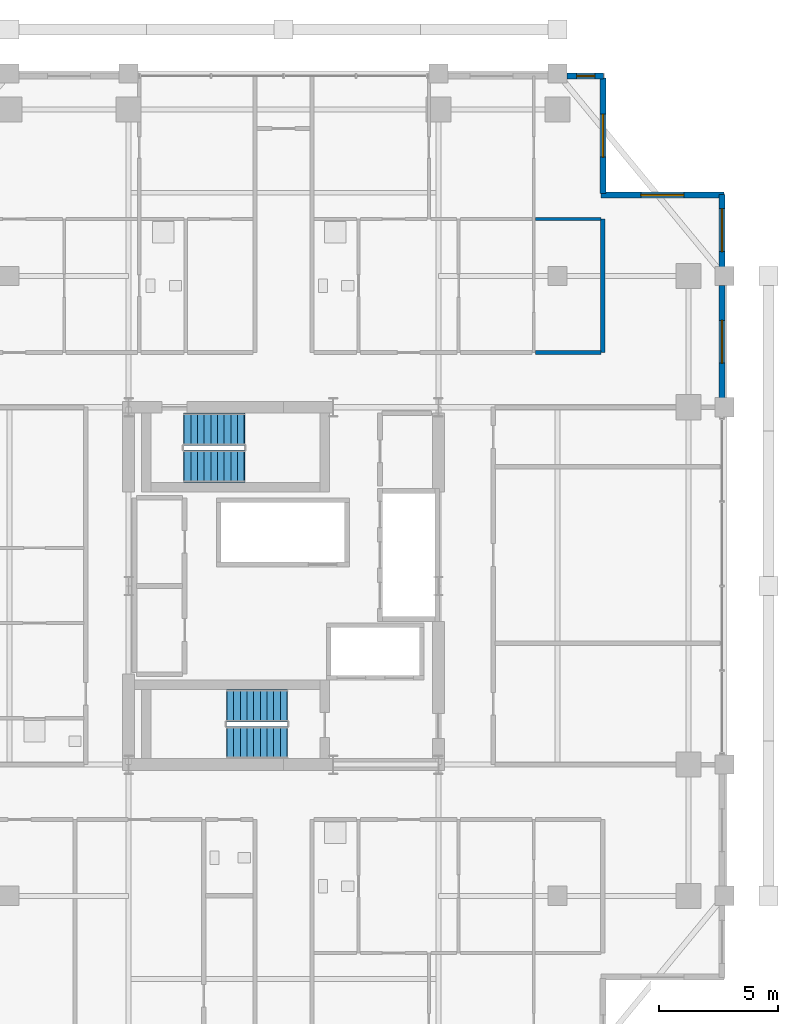
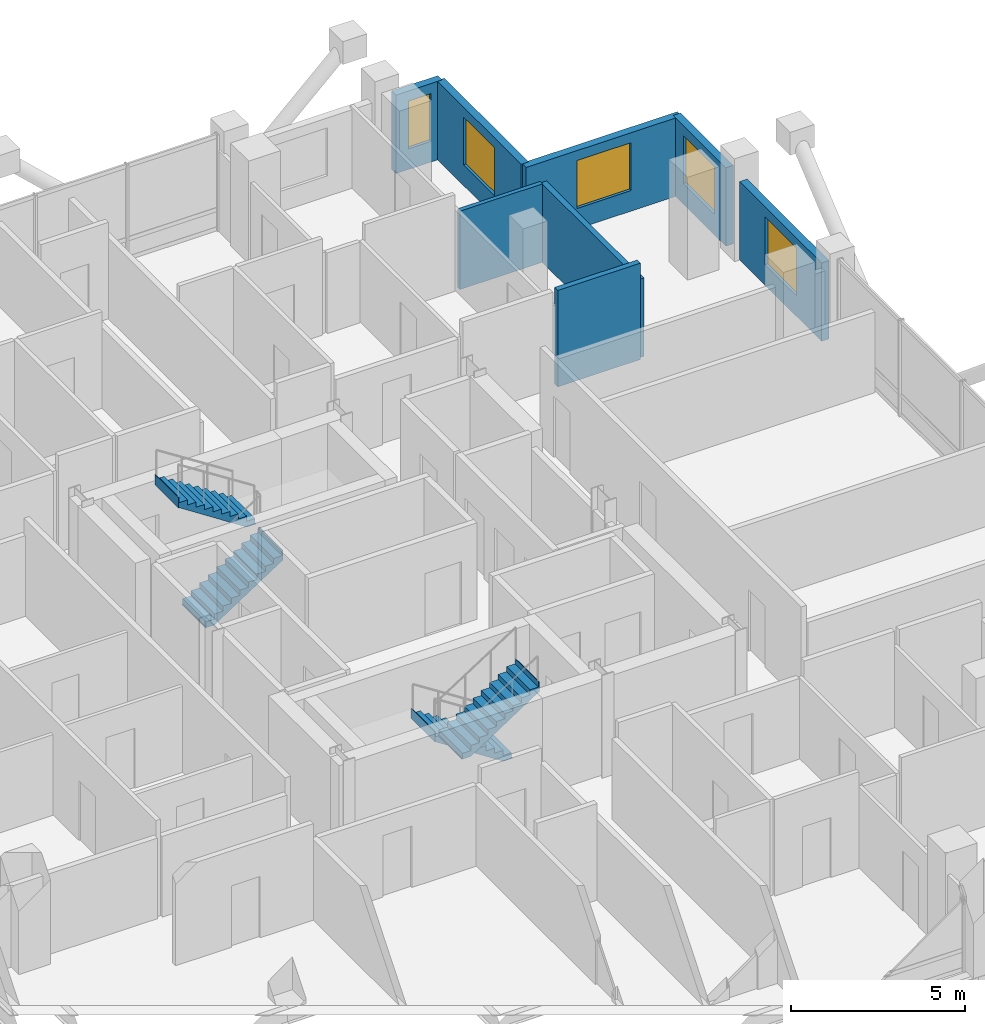
# One storey, part 22 of 24: 8 walls, 5 windows, 4 stair flights, 5 openings, 2 elements without a shape of their own.
"""IFC4 building model written with IfcOpenShell, lengths in metres."""

import ifcopenshell
import ifcopenshell.guid

model = None  # the IFC model being written
_history = None  # IfcOwnerHistory: only IFC2X3 demands one
_inside = {}  # id of a spatial element -> (the spatial element, [elements in it])
_under = {}  # id of a project, library or spatial element -> (it, [spatial elements below it])
_declared = {}  # id of a project -> (the project, [libraries it declares])
_typed = {}  # id of a type object -> (the type object, [elements of that type])
_made_of = {}  # id of a material, layer set ... -> (it, [elements and type objects made of it])


def new_model(schema):
    """Start an empty IFC model of exactly this schema.

    Asked for "IFC4X3", IfcOpenShell would pick the latest addendum, in which some entities
    have other attributes; the version numbers below select the first issue.
    IFC2X3 requires an IfcOwnerHistory on every rooted entity: one is made here for all.
    """
    global model, _history
    if schema == "IFC4X3":
        model = ifcopenshell.file(schema_version=(4, 3, 0, 0))
    else:
        model = ifcopenshell.file(schema=schema)
    _inside.clear()
    _under.clear()
    _declared.clear()
    _typed.clear()
    _made_of.clear()
    _history = None
    if model.schema == "IFC2X3":
        org = make("IfcOrganization", Name="unknown")
        user = make(
            "IfcPersonAndOrganization",
            ThePerson=make("IfcPerson", FamilyName="unknown"),
            TheOrganization=org,
        )
        app = make(
            "IfcApplication",
            ApplicationDeveloper=org,
            Version="unknown",
            ApplicationFullName="unknown",
            ApplicationIdentifier="unknown",
        )
        _history = make(
            "IfcOwnerHistory",
            OwningUser=user,
            OwningApplication=app,
            ChangeAction="ADDED",
            CreationDate=0,
        )
    return model


def make(cls, **values):
    """One entity of the class cls with the attributes given. An attribute that is None is left unset."""
    return model.create_entity(
        cls, **{name: value for name, value in values.items() if value is not None}
    )


def rooted(cls, **values):
    """An entity with a GlobalId (a new one), such as an element, a storey or a relation."""
    return make(cls, GlobalId=ifcopenshell.guid.new(), OwnerHistory=_history, **values)


def si_unit(unit_type, name, prefix=None):
    """IfcSIUnit, for example si_unit("LENGTHUNIT", "METRE", prefix="MILLI")."""
    return make("IfcSIUnit", UnitType=unit_type, Prefix=prefix, Name=name)


def assignment(units):
    """IfcUnitAssignment: the units of a project."""
    return None if units is None else make("IfcUnitAssignment", Units=units)


def point(xyz):
    """IfcCartesianPoint."""
    return None if xyz is None else make("IfcCartesianPoint", Coordinates=xyz)


def direction(xyz):
    """IfcDirection."""
    return None if xyz is None else make("IfcDirection", DirectionRatios=xyz)


def frame(location, z_axis=None, x_axis=None):
    """IfcAxis2Placement3D, a coordinate frame: its origin and axes. An axis left out is left unset."""
    return make(
        "IfcAxis2Placement3D",
        Location=point(location),
        Axis=direction(z_axis),
        RefDirection=direction(x_axis),
    )


def frame_2d(location, x_axis=None):
    """IfcAxis2Placement2D, a coordinate frame in the plane: its origin and x axis."""
    return make(
        "IfcAxis2Placement2D", Location=point(location), RefDirection=direction(x_axis)
    )


def origin():
    """The frame at (0, 0, 0) with its axes left unset."""
    return frame((0.0, 0.0, 0.0))


def place(relative_to, where):
    """IfcLocalPlacement: puts the frame where relative to a parent placement (None: the world)."""
    return make(
        "IfcLocalPlacement", PlacementRelTo=relative_to, RelativePlacement=where
    )


def context(
    kind, dimensions, precision=None, world=None, true_north=None, identifier=None
):
    """IfcGeometricRepresentationContext, for example the 3D "Model" context."""
    return make(
        "IfcGeometricRepresentationContext",
        ContextIdentifier=identifier,
        ContextType=kind,
        CoordinateSpaceDimension=dimensions,
        Precision=precision,
        WorldCoordinateSystem=world,
        TrueNorth=true_north,
    )


def subcontext(parent, identifier, kind, view, scale=None):
    """IfcGeometricRepresentationSubContext, for example "Body" below "Model"."""
    return make(
        "IfcGeometricRepresentationSubContext",
        ContextIdentifier=identifier,
        ContextType=kind,
        ParentContext=parent,
        TargetScale=scale,
        TargetView=view,
    )


def project(units=None, contexts=None):
    """IfcProject with its units and contexts."""
    return rooted(
        "IfcProject",
        Name="project",
        RepresentationContexts=contexts,
        UnitsInContext=assignment(units),
    )


def spatial(cls, under=None, at=None, **own):
    """A site, building, storey or space (cls), placed at a placement, below another one or the project."""
    s = rooted(cls, ObjectPlacement=at, **own)
    if under is not None:
        _under.setdefault(under.id(), (under, []))[1].append(s)
    return s


def polyline(points):
    """IfcPolyline through the points."""
    return make("IfcPolyline", Points=[point(p) for p in points])


def profile(cls, at=None, kind="AREA", **sizes):
    """A parametric profile (cls). Its sizes go by their IFC names, for example OverallWidth=200.0."""
    return make(cls, ProfileType=kind, Position=at, **sizes)


def rectangle(**sizes):
    """IfcRectangleProfileDef."""
    return profile("IfcRectangleProfileDef", **sizes)


def outline(outer, holes=None, kind="AREA"):
    """IfcArbitraryClosedProfileDef: a profile drawn as a closed curve; with holes, ...WithVoids."""
    if holes is None:
        return make("IfcArbitraryClosedProfileDef", ProfileType=kind, OuterCurve=outer)
    return make(
        "IfcArbitraryProfileDefWithVoids",
        ProfileType=kind,
        OuterCurve=outer,
        InnerCurves=holes,
    )


def extrude(swept, where, along, depth):
    """IfcExtrudedAreaSolid: the profile swept, set in the frame where, extruded along a direction by depth."""
    return make(
        "IfcExtrudedAreaSolid",
        SweptArea=swept,
        Position=where,
        ExtrudedDirection=direction(along),
        Depth=depth,
    )


def shape(context_of_items, identifier, shape_type, items):
    """IfcShapeRepresentation: the items that make up one representation, for example the "Body"."""
    return make(
        "IfcShapeRepresentation",
        ContextOfItems=context_of_items,
        RepresentationIdentifier=identifier,
        RepresentationType=shape_type,
        Items=items,
    )


def material(Name=None, Category=None):
    """IfcMaterial."""
    return make("IfcMaterial", Name=Name, Category=Category)


def layer(
    of_material, thickness, ventilated=None, Name=None, Category=None, Priority=None
):
    """IfcMaterialLayer: one layer of a wall or slab, of a material (None: an air gap)."""
    return make(
        "IfcMaterialLayer",
        Material=of_material,
        LayerThickness=thickness,
        IsVentilated=ventilated,
        Name=Name,
        Category=Category,
        Priority=Priority,
    )


def layer_set(layers, Name=None):
    """IfcMaterialLayerSet."""
    return make("IfcMaterialLayerSet", MaterialLayers=layers, LayerSetName=Name)


def made_of(thing, what):
    """Note that an element or type object is made of a material, layer set ...; save() writes the relation."""
    if what is not None:
        _made_of.setdefault(what.id(), (what, []))[1].append(thing)
    return thing


def type_object(cls, material=None, **own):
    """A type object (cls), such as IfcWallType, which elements share."""
    return made_of(rooted(cls, **own), material)


def element(
    cls,
    number,
    at=None,
    inside=None,
    cuts=None,
    type_object=None,
    material=None,
    context=None,
    identifier="Body",
    shape_type=None,
    held_by="IfcProductDefinitionShape",
    body=None,
    shapes=None,
    **own,
):
    """One element of the class cls, such as IfcWall. Its Tag is "e" and its number.

    at: its placement. inside: the storey or other place that contains it. cuts: it is an
    opening in that element (IfcRelVoidsElement). A single representation is given by context,
    identifier, shape_type and body (its items); several are given by shapes. held_by: the class
    of the entity that holds the representations. save() writes the other relations.
    """
    e = rooted(cls, Tag="e%d" % number, ObjectPlacement=at, **own)
    if body is not None:
        shapes = [shape(context, identifier, shape_type, body)]
    if shapes is not None:
        e.Representation = make(held_by, Representations=shapes)
    if inside is not None:
        _inside.setdefault(inside.id(), (inside, []))[1].append(e)
    if cuts is not None:
        rooted(
            "IfcRelVoidsElement", RelatingBuildingElement=cuts, RelatedOpeningElement=e
        )
    if type_object is not None:
        _typed.setdefault(type_object.id(), (type_object, []))[1].append(e)
    return made_of(e, material)


def fill(opening, filler):
    """IfcRelFillsElement: the door or window that sits in an opening."""
    return rooted(
        "IfcRelFillsElement",
        RelatingOpeningElement=opening,
        RelatedBuildingElement=filler,
    )


def aggregate(whole, parts):
    """IfcRelAggregates: a whole, such as a stair, and the parts it consists of."""
    return rooted("IfcRelAggregates", RelatingObject=whole, RelatedObjects=parts)


def save(model, path):
    """Write the relations noted so far, then the file.

    IfcRelAggregates (storeys below a building ...), IfcRelContainedInSpatialStructure (elements
    in a storey), IfcRelDefinesByType, IfcRelAssociatesMaterial and IfcRelDeclares: one each for
    every whole, place, type object, material and project.
    """
    for whole, parts in _under.values():
        aggregate(whole, parts)
    for where, things in _inside.values():
        rooted(
            "IfcRelContainedInSpatialStructure",
            RelatedElements=things,
            RelatingStructure=where,
        )
    for kind, things in _typed.values():
        rooted("IfcRelDefinesByType", RelatedObjects=things, RelatingType=kind)
    for what, things in _made_of.values():
        rooted("IfcRelAssociatesMaterial", RelatedObjects=things, RelatingMaterial=what)
    for by, libraries in _declared.values():
        rooted("IfcRelDeclares", RelatingContext=by, RelatedDefinitions=libraries)
    model.write(path)


model = new_model("IFC4")

# Units and contexts
model_context = context("Model", 3, precision=1e-05, world=origin(), true_north=direction((0.0, 1.0)))
body_context = subcontext(model_context, "Body", "Model", "MODEL_VIEW")
ifc_project = project(units=[si_unit("LENGTHUNIT", "METRE"), si_unit("AREAUNIT", "SQUARE_METRE"), si_unit("VOLUMEUNIT", "CUBIC_METRE"), si_unit("PLANEANGLEUNIT", "RADIAN"), si_unit("MASSUNIT", "GRAM", prefix="KILO")], contexts=[model_context])

# Site, building, storey
site_placement = place(None, origin())
site = spatial("IfcSite", under=ifc_project, at=site_placement, CompositionType="ELEMENT")
building_placement = place(site_placement, origin())
building = spatial("IfcBuilding", under=site, at=building_placement, Name="Barlavira Tower and Art Museum", CompositionType="ELEMENT")
storey_placement = place(building_placement, frame((0.0, 0.0, 183.60009765625)))
storey = spatial("IfcBuildingStorey", under=building, at=storey_placement, Name="L47", CompositionType="ELEMENT", Elevation=183.60009765625)

# Walls
ifc_material_1 = material(Name="Gypsum acoustic stud partition", Category="gypsum")
ifc_layer_1 = layer(ifc_material_1, 0.179931640625, Name="Gypsum acoustic stud partition")
ifc_layer_set_1 = layer_set([ifc_layer_1], Name="Gypsum acoustic stud partition")
wall_type_1 = type_object("IfcWallType", Name="Inter-Tenancy Party Partition Wall 180", PredefinedType="PARTITIONING", material=ifc_layer_set_1)
wall_1_placement = place(storey_placement, frame((13.39990234375, 9.800048828125, 0.0), z_axis=(0.0, 0.0, 1.0), x_axis=(0.0, 1.0, 0.0)))
element("IfcWall", 1, at=wall_1_placement, inside=storey, type_object=wall_type_1, Name="L47 Partition Wall 26", PredefinedType="PARTITIONING", context=body_context, shape_type="SweptSolid", body=[
    extrude(rectangle(XDim=5.599853515625, YDim=0.179931640625, at=frame_2d((2.7998046875, 0.0))), origin(), (0.0, 0.0, 1.0), 2.747802734375),
])
wall_2_placement = place(storey_placement, frame((10.580078125, 9.800048828125, 0.0), z_axis=(0.0, 0.0, 1.0), x_axis=(1.0, 0.0, 0.0)))
element("IfcWall", 2, at=wall_2_placement, inside=storey, type_object=wall_type_1, Name="L47 Partition Wall 65", PredefinedType="PARTITIONING", context=body_context, shape_type="SweptSolid", body=[
    extrude(rectangle(XDim=2.739990234375, YDim=0.179931640625, at=frame_2d((1.3701171875, 0.0))), origin(), (0.0, 0.0, 1.0), 3.3798828125),
])
ifc_layer_2 = layer(ifc_material_1, 0.139892578125, Name="Gypsum acoustic stud partition")
ifc_layer_set_2 = layer_set([ifc_layer_2], Name="Gypsum acoustic stud partition")
wall_type_2 = type_object("IfcWallType", Name="Moisture-Resistant Bathroom Partition 140", PredefinedType="PARTITIONING", material=ifc_layer_set_2)
wall_3_placement = place(storey_placement, frame((10.580078125, 15.39990234375, 0.0), z_axis=(0.0, 0.0, 1.0), x_axis=(1.0, 0.0, 0.0)))
element("IfcWall", 3, at=wall_3_placement, inside=storey, type_object=wall_type_2, Name="L47 Partition Wall 74", PredefinedType="PARTITIONING", context=body_context, shape_type="SweptSolid", body=[
    extrude(rectangle(XDim=2.739990234375, YDim=0.139892578125, at=frame_2d((1.3701171875, 0.0))), origin(), (0.0, 0.0, 1.0), 2.747802734375),
])

# Wall, opening, window
ifc_material_2 = material(Name="Precast concrete C40", Category="concrete")
ifc_layer_3 = layer(ifc_material_2, 0.25, Name="Precast concrete C40")
ifc_layer_set_3 = layer_set([ifc_layer_3], Name="Precast concrete C40")
wall_type_3 = type_object("IfcWallType", Name="Notched Corner Spandrel Wall 250 Precast Concrete C40", PredefinedType="SOLIDWALL", material=ifc_layer_set_3)
wall_4_placement = place(storey_placement, frame((13.425048828125, 21.39990234375, 0.0), z_axis=(0.0, 0.0, 1.0), x_axis=(-1.0, 0.0, 0.0)))
wall_4 = element("IfcWall", 4, at=wall_4_placement, inside=storey, type_object=wall_type_3, Name="L47 Coastal Facade Pier Wall CW3-L47-N-1", PredefinedType="SOLIDWALL", context=body_context, shape_type="SweptSolid", body=[
    extrude(rectangle(XDim=1.530029296875, YDim=0.25, at=frame_2d((0.76513671875, 0.0))), origin(), (0.0, 0.0, 1.0), 2.747802734375),
])
opening_1_placement = place(wall_4_placement, frame((0.363037109375, 0.0, 0.719970703125)))
opening_1 = element("IfcOpeningElement", 5, at=opening_1_placement, cuts=wall_4, Name="Opening WN-06", PredefinedType="OPENING", context=body_context, shape_type="SweptSolid", body=[
    extrude(rectangle(XDim=0.760009765625, YDim=1.679931640625, at=frame_2d((0.3798828125, 0.83984375))), frame((0.0, 0.135009765625, 0.0), z_axis=(0.0, -1.0, 0.0), x_axis=(1.0, 0.0, 0.0)), (0.0, 0.0, 1.0), 0.27001953125),
])
ifc_material_3 = material(Name="Low-iron coastal laminated glass", Category="glass")
window_type_1 = type_object("IfcWindowType", Name="Recessed Narrow Pier Window 760x1680", PartitioningType="SINGLE_PANEL", PredefinedType="WINDOW", material=ifc_material_3)
window_1_placement = place(opening_1_placement, origin())
window_1 = element("IfcWindow", 6, at=window_1_placement, inside=storey, type_object=window_type_1, Name="L47 Punched Facade Window EWP-CW3-L47-N-1-1", OverallHeight=1.679931640625, OverallWidth=0.760009765625, PartitioningType="SINGLE_PANEL", PredefinedType="WINDOW", context=body_context, shape_type="SweptSolid", body=[
    extrude(rectangle(XDim=0.760009765625, YDim=1.679931640625, at=frame_2d((0.3798828125, 0.83984375))), frame((0.0, 0.030029296875, 0.0), z_axis=(0.0, -1.0, 0.0), x_axis=(1.0, 0.0, 0.0)), (0.0, 0.0, 1.0), 0.06005859375),
])
fill(opening_1, window_1)

wall_5_placement = place(storey_placement, frame((18.39990234375, 7.89501953125, 0.0), z_axis=(0.0, 0.0, 1.0), x_axis=(0.0, 1.0, 0.0)))
wall_5 = element("IfcWall", 7, at=wall_5_placement, inside=storey, type_object=wall_type_3, Name="L47 Coastal Facade Pier Wall CW3-L47-E-4", PredefinedType="SOLIDWALL", context=body_context, shape_type="SweptSolid", body=[
    extrude(rectangle(XDim=4.7099609375, YDim=0.25, at=frame_2d((2.35498046875, 0.0))), origin(), (0.0, 0.0, 1.0), 2.747802734375),
])
opening_2_placement = place(wall_5_placement, frame((1.455078125, 0.0, 0.719970703125)))
opening_2 = element("IfcOpeningElement", 8, at=opening_2_placement, cuts=wall_5, Name="Opening WN-01", PredefinedType="OPENING", context=body_context, shape_type="SweptSolid", body=[
    extrude(rectangle(XDim=1.800048828125, YDim=1.679931640625, at=frame_2d((0.89990234375, 0.83984375))), frame((0.0, 0.135009765625, 0.0), z_axis=(0.0, -1.0, 0.0), x_axis=(1.0, 0.0, 0.0)), (0.0, 0.0, 1.0), 0.27001953125),
])
window_type_2 = type_object("IfcWindowType", Name="Recessed Notch Corner Punch Window 1800x1680", PartitioningType="SINGLE_PANEL", PredefinedType="WINDOW", material=ifc_material_3)
window_2_placement = place(opening_2_placement, origin())
window_2 = element("IfcWindow", 9, at=window_2_placement, inside=storey, type_object=window_type_2, Name="L47 Punched Facade Window EWP-CW3-L47-E-4-1", OverallHeight=1.679931640625, OverallWidth=1.800048828125, PartitioningType="SINGLE_PANEL", PredefinedType="WINDOW", context=body_context, shape_type="SweptSolid", body=[
    extrude(rectangle(XDim=1.800048828125, YDim=1.679931640625, at=frame_2d((0.89990234375, 0.83984375))), frame((0.0, 0.030029296875, 0.0), z_axis=(0.0, -1.0, 0.0), x_axis=(1.0, 0.0, 0.0)), (0.0, 0.0, 1.0), 0.06005859375),
])
fill(opening_2, window_2)

wall_6_placement = place(storey_placement, frame((18.39990234375, 13.39501953125, 0.0), z_axis=(0.0, 0.0, 1.0), x_axis=(0.0, 1.0, 0.0)))
wall_6 = element("IfcWall", 10, at=wall_6_placement, inside=storey, type_object=wall_type_3, Name="L47 Coastal Facade Pier Wall CW3-L47-E-5", PredefinedType="SOLIDWALL", context=body_context, shape_type="SweptSolid", body=[
    extrude(rectangle(XDim=3.030029296875, YDim=0.25, at=frame_2d((1.51513671875, 0.0))), origin(), (0.0, 0.0, 1.0), 2.747802734375),
])
opening_3_placement = place(wall_6_placement, frame((0.637939453125, 0.0, 0.719970703125)))
opening_3 = element("IfcOpeningElement", 11, at=opening_3_placement, cuts=wall_6, Name="Opening WN-01", PredefinedType="OPENING", context=body_context, shape_type="SweptSolid", body=[
    extrude(rectangle(XDim=1.800048828125, YDim=1.679931640625, at=frame_2d((0.89990234375, 0.83984375))), frame((0.0, 0.135009765625, 0.0), z_axis=(0.0, -1.0, 0.0), x_axis=(1.0, 0.0, 0.0)), (0.0, 0.0, 1.0), 0.27001953125),
])
window_3_placement = place(opening_3_placement, origin())
window_3 = element("IfcWindow", 12, at=window_3_placement, inside=storey, type_object=window_type_2, Name="L47 Punched Facade Window EWP-CW3-L47-E-5-1", OverallHeight=1.679931640625, OverallWidth=1.800048828125, PartitioningType="SINGLE_PANEL", PredefinedType="WINDOW", context=body_context, shape_type="SweptSolid", body=[
    extrude(rectangle(XDim=1.800048828125, YDim=1.679931640625, at=frame_2d((0.89990234375, 0.83984375))), frame((0.0, 0.030029296875, 0.0), z_axis=(0.0, -1.0, 0.0), x_axis=(1.0, 0.0, 0.0)), (0.0, 0.0, 1.0), 0.06005859375),
])
fill(opening_3, window_3)

wall_7_placement = place(storey_placement, frame((18.47998046875, 16.39990234375, 0.0), z_axis=(0.0, 0.0, 1.0), x_axis=(-1.0, 0.0, 0.0)))
wall_7 = element("IfcWall", 13, at=wall_7_placement, inside=storey, type_object=wall_type_3, Name="L47 Notch Corner Wall NE1", PredefinedType="SOLIDWALL", context=body_context, shape_type="SweptSolid", body=[
    extrude(rectangle(XDim=5.159912109375, YDim=0.25, at=frame_2d((2.580078125, 0.0))), origin(), (0.0, 0.0, 1.0), 2.747802734375),
])
opening_4_placement = place(wall_7_placement, frame((1.679931640625, 0.0, 0.719970703125)))
opening_4 = element("IfcOpeningElement", 14, at=opening_4_placement, cuts=wall_7, Name="Opening WN-01", PredefinedType="OPENING", context=body_context, shape_type="SweptSolid", body=[
    extrude(rectangle(XDim=1.800048828125, YDim=1.679931640625, at=frame_2d((0.89990234375, 0.83984375))), frame((0.0, 0.135009765625, 0.0), z_axis=(0.0, -1.0, 0.0), x_axis=(1.0, 0.0, 0.0)), (0.0, 0.0, 1.0), 0.27001953125),
])
window_4_placement = place(opening_4_placement, origin())
window_4 = element("IfcWindow", 15, at=window_4_placement, inside=storey, type_object=window_type_2, Name="L47 Punched Facade Window EW-NTC-L47-NE1-1", OverallHeight=1.679931640625, OverallWidth=1.800048828125, PartitioningType="SINGLE_PANEL", PredefinedType="WINDOW", context=body_context, shape_type="SweptSolid", body=[
    extrude(rectangle(XDim=1.800048828125, YDim=1.679931640625, at=frame_2d((0.89990234375, 0.83984375))), frame((0.0, 0.030029296875, 0.0), z_axis=(0.0, -1.0, 0.0), x_axis=(1.0, 0.0, 0.0)), (0.0, 0.0, 1.0), 0.06005859375),
])
fill(opening_4, window_4)

wall_8_placement = place(storey_placement, frame((13.39990234375, 16.47998046875, 0.0), z_axis=(0.0, 0.0, 1.0), x_axis=(0.0, 1.0, 0.0)))
wall_8 = element("IfcWall", 16, at=wall_8_placement, inside=storey, type_object=wall_type_3, Name="L47 Notch Corner Wall NE2", PredefinedType="SOLIDWALL", context=body_context, shape_type="SweptSolid", body=[
    extrude(rectangle(XDim=4.840087890625, YDim=0.25, at=frame_2d((2.419921875, 0.0))), origin(), (0.0, 0.0, 1.0), 2.747802734375),
])
opening_5_placement = place(wall_8_placement, frame((1.52001953125, 0.0, 0.719970703125)))
opening_5 = element("IfcOpeningElement", 17, at=opening_5_placement, cuts=wall_8, Name="Opening WN-01", PredefinedType="OPENING", context=body_context, shape_type="SweptSolid", body=[
    extrude(rectangle(XDim=1.800048828125, YDim=1.679931640625, at=frame_2d((0.89990234375, 0.83984375))), frame((0.0, 0.135009765625, 0.0), z_axis=(0.0, -1.0, 0.0), x_axis=(1.0, 0.0, 0.0)), (0.0, 0.0, 1.0), 0.27001953125),
])
window_5_placement = place(opening_5_placement, origin())
window_5 = element("IfcWindow", 18, at=window_5_placement, inside=storey, type_object=window_type_2, Name="L47 Punched Facade Window EW-NTC-L47-NE2-1", OverallHeight=1.679931640625, OverallWidth=1.800048828125, PartitioningType="SINGLE_PANEL", PredefinedType="WINDOW", context=body_context, shape_type="SweptSolid", body=[
    extrude(rectangle(XDim=1.800048828125, YDim=1.679931640625, at=frame_2d((0.89990234375, 0.83984375))), frame((0.0, 0.030029296875, 0.0), z_axis=(0.0, -1.0, 0.0), x_axis=(1.0, 0.0, 0.0)), (0.0, 0.0, 1.0), 0.06005859375),
])
fill(opening_5, window_5)

# Stair, stair flights
ifc_material_4 = material(Name="Concrete C45", Category="concrete")
stair_type_1 = type_object("IfcStairType", Name="Tower North Dog-Leg Exit Stair Assembly Concrete C45", PredefinedType="TWO_QUARTER_TURN_STAIR", material=ifc_material_4)
stair_1_placement = place(storey_placement, origin())
stair_1 = element("IfcStair", 19, at=stair_1_placement, inside=storey, type_object=stair_type_1, Name="L47 Tower North Exit Stair ST-T2", PredefinedType="TWO_QUARTER_TURN_STAIR")
ifc_material_5 = material(Name="Precast concrete C45", Category="concrete")
stair_flight_type_1 = type_object("IfcStairFlightType", Name="Tower North Dog-Leg Exit Stair Precast Flight 1350 Concrete C45", PredefinedType="STRAIGHT", material=ifc_material_5)
stair_flight_1_placement = place(storey_placement, frame((-4.169921875, 5.02490234375, 0.0), z_axis=(0.0, 0.0, 1.0), x_axis=(1.0, 0.0, 0.0)))
stair_flight_1 = element("IfcStairFlight", 20, at=stair_flight_1_placement, type_object=stair_flight_type_1, Name="ST-T2 flight 1", NumberOfRisers=10, NumberOfTreads=9, PredefinedType="STRAIGHT", RiserHeight=0.18, TreadLength=0.28, context=body_context, shape_type="SweptSolid", body=[
    extrude(outline(polyline([(-0.02490234375, 0.0), (0.0, 0.0), (0.0, 0.179931640625), (0.280029296875, 0.179931640625), (0.280029296875, 0.360107421875), (0.56005859375, 0.360107421875), (0.56005859375, 0.5400390625), (0.840087890625, 0.5400390625), (0.840087890625, 0.719970703125), (1.1201171875, 0.719970703125), (1.1201171875, 0.89990234375), (1.39990234375, 0.89990234375), (1.39990234375, 1.080078125), (1.679931640625, 1.080078125), (1.679931640625, 1.260009765625), (1.9599609375, 1.260009765625), (1.9599609375, 1.43994140625), (2.239990234375, 1.43994140625), (2.239990234375, 1.6201171875), (2.52001953125, 1.6201171875), (2.52001953125, 1.800048828125), (2.544921875, 1.800048828125), (2.544921875, 1.44189453125), (2.52001953125, 1.44189453125), (0.277099609375, -0.02490234375), (-0.02490234375, -0.02490234375), (-0.02490234375, 0.0)])), frame((0.0, 0.675048828125, 0.0), z_axis=(0.0, -1.0, 0.0), x_axis=(1.0, 0.0, 0.0)), (0.0, 0.0, 1.0), 1.35009765625),
])
stair_flight_2_placement = place(storey_placement, frame((-1.64990234375, 6.574951171875, 1.7998046875), z_axis=(0.0, 0.0, 1.0), x_axis=(-1.0, 0.0, 0.0)))
stair_flight_2 = element("IfcStairFlight", 21, at=stair_flight_2_placement, type_object=stair_flight_type_1, Name="ST-T2 flight 2", NumberOfRisers=10, NumberOfTreads=9, PredefinedType="STRAIGHT", RiserHeight=0.18, TreadLength=0.28, context=body_context, shape_type="SweptSolid", body=[
    extrude(outline(polyline([(-0.02490234375, 0.0), (0.0, 0.0), (0.0, 0.179931640625), (0.280029296875, 0.179931640625), (0.280029296875, 0.360107421875), (0.56005859375, 0.360107421875), (0.56005859375, 0.5400390625), (0.840087890625, 0.5400390625), (0.840087890625, 0.719970703125), (1.1201171875, 0.719970703125), (1.1201171875, 0.89990234375), (1.39990234375, 0.89990234375), (1.39990234375, 1.080078125), (1.679931640625, 1.080078125), (1.679931640625, 1.260009765625), (1.9599609375, 1.260009765625), (1.9599609375, 1.43994140625), (2.239990234375, 1.43994140625), (2.239990234375, 1.6201171875), (2.52001953125, 1.6201171875), (2.52001953125, 1.800048828125), (2.544921875, 1.800048828125), (2.544921875, 1.44189453125), (2.52001953125, 1.44189453125), (0.277099609375, -0.02490234375), (-0.02490234375, -0.02490234375), (-0.02490234375, 0.0)])), frame((0.0, 0.675048828125, 0.0), z_axis=(0.0, -1.0, 0.0), x_axis=(1.0, 0.0, 0.0)), (0.0, 0.0, 1.0), 1.35009765625),
])
aggregate(stair_1, [stair_flight_1, stair_flight_2])

stair_type_2 = type_object("IfcStairType", Name="Tower South Dog-Leg Exit Stair Assembly Concrete C45", PredefinedType="TWO_QUARTER_TURN_STAIR", material=ifc_material_4)
stair_2_placement = place(storey_placement, origin())
stair_2 = element("IfcStair", 22, at=stair_2_placement, inside=storey, type_object=stair_type_2, Name="L47 Tower South Exit Stair ST-T1", PredefinedType="TWO_QUARTER_TURN_STAIR")
stair_flight_type_2 = type_object("IfcStairFlightType", Name="Tower South Dog-Leg Exit Stair Precast Flight 1350 Concrete C45", PredefinedType="STRAIGHT", material=ifc_material_5)
stair_flight_3_placement = place(storey_placement, frame((0.14990234375, -5.02490234375, 0.0), z_axis=(0.0, 0.0, 1.0), x_axis=(-1.0, 0.0, 0.0)))
stair_flight_3 = element("IfcStairFlight", 23, at=stair_flight_3_placement, type_object=stair_flight_type_2, Name="ST-T1 flight 1", NumberOfRisers=10, NumberOfTreads=9, PredefinedType="STRAIGHT", RiserHeight=0.18, TreadLength=0.28, context=body_context, shape_type="SweptSolid", body=[
    extrude(outline(polyline([(-0.02490234375, 0.0), (0.0, 0.0), (0.0, 0.179931640625), (0.280029296875, 0.179931640625), (0.280029296875, 0.360107421875), (0.56005859375, 0.360107421875), (0.56005859375, 0.5400390625), (0.840087890625, 0.5400390625), (0.840087890625, 0.719970703125), (1.1201171875, 0.719970703125), (1.1201171875, 0.89990234375), (1.39990234375, 0.89990234375), (1.39990234375, 1.080078125), (1.679931640625, 1.080078125), (1.679931640625, 1.260009765625), (1.9599609375, 1.260009765625), (1.9599609375, 1.43994140625), (2.239990234375, 1.43994140625), (2.239990234375, 1.6201171875), (2.52001953125, 1.6201171875), (2.52001953125, 1.800048828125), (2.544921875, 1.800048828125), (2.544921875, 1.44189453125), (2.52001953125, 1.44189453125), (0.277099609375, -0.02490234375), (-0.02490234375, -0.02490234375), (-0.02490234375, 0.0)])), frame((0.0, 0.675048828125, 0.0), z_axis=(0.0, -1.0, 0.0), x_axis=(1.0, 0.0, 0.0)), (0.0, 0.0, 1.0), 1.35009765625),
])
stair_flight_4_placement = place(storey_placement, frame((-2.3701171875, -6.574951171875, 1.7998046875), z_axis=(0.0, 0.0, 1.0), x_axis=(1.0, 0.0, 0.0)))
stair_flight_4 = element("IfcStairFlight", 24, at=stair_flight_4_placement, type_object=stair_flight_type_2, Name="ST-T1 flight 2", NumberOfRisers=10, NumberOfTreads=9, PredefinedType="STRAIGHT", RiserHeight=0.18, TreadLength=0.28, context=body_context, shape_type="SweptSolid", body=[
    extrude(outline(polyline([(-0.02490234375, 0.0), (0.0, 0.0), (0.0, 0.179931640625), (0.280029296875, 0.179931640625), (0.280029296875, 0.360107421875), (0.56005859375, 0.360107421875), (0.56005859375, 0.5400390625), (0.840087890625, 0.5400390625), (0.840087890625, 0.719970703125), (1.1201171875, 0.719970703125), (1.1201171875, 0.89990234375), (1.39990234375, 0.89990234375), (1.39990234375, 1.080078125), (1.679931640625, 1.080078125), (1.679931640625, 1.260009765625), (1.9599609375, 1.260009765625), (1.9599609375, 1.43994140625), (2.239990234375, 1.43994140625), (2.239990234375, 1.6201171875), (2.52001953125, 1.6201171875), (2.52001953125, 1.800048828125), (2.544921875, 1.800048828125), (2.544921875, 1.44189453125), (2.52001953125, 1.44189453125), (0.277099609375, -0.02490234375), (-0.02490234375, -0.02490234375), (-0.02490234375, 0.0)])), frame((0.0, 0.675048828125, 0.0), z_axis=(0.0, -1.0, 0.0), x_axis=(1.0, 0.0, 0.0)), (0.0, 0.0, 1.0), 1.35009765625),
])
aggregate(stair_2, [stair_flight_3, stair_flight_4])

save(model, "model.ifc")
